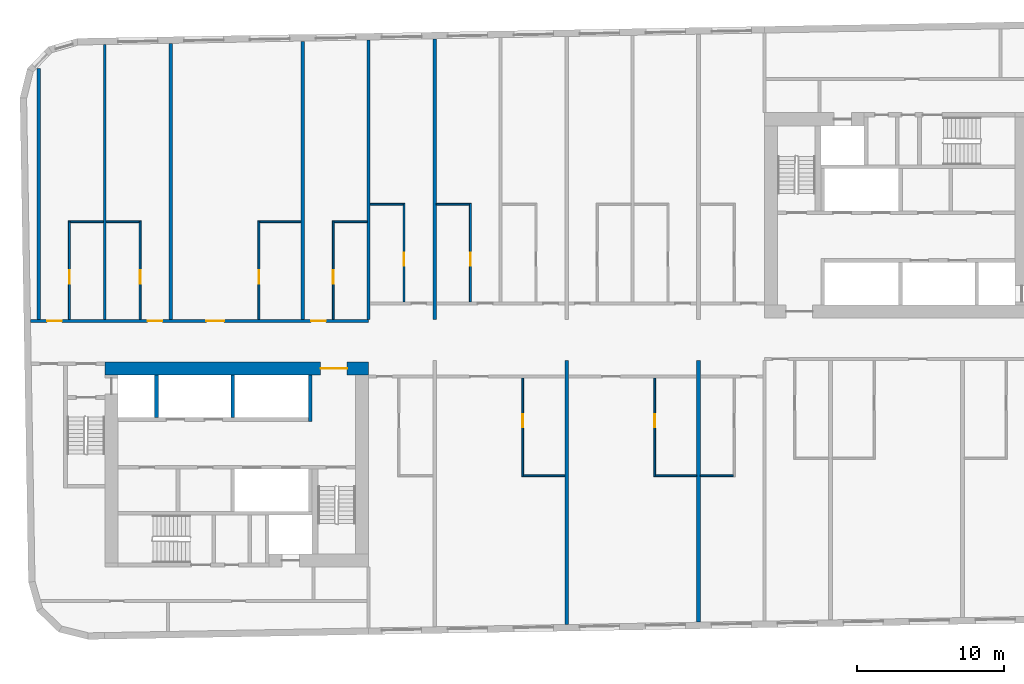
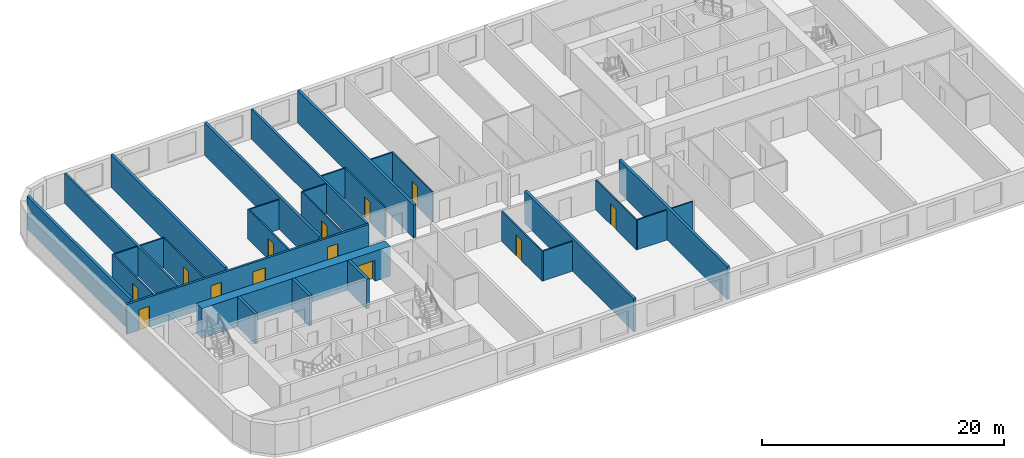
# One storey, part 3 of 11: 30 walls, 13 doors, 13 openings.
"""IFC4 building model written with IfcOpenShell, lengths in metres."""

import ifcopenshell
import ifcopenshell.guid

model = None  # the IFC model being written
_history = None  # IfcOwnerHistory: only IFC2X3 demands one
_inside = {}  # id of a spatial element -> (the spatial element, [elements in it])
_under = {}  # id of a project, library or spatial element -> (it, [spatial elements below it])
_declared = {}  # id of a project -> (the project, [libraries it declares])
_typed = {}  # id of a type object -> (the type object, [elements of that type])
_made_of = {}  # id of a material, layer set ... -> (it, [elements and type objects made of it])


def new_model(schema):
    """Start an empty IFC model of exactly this schema.

    Asked for "IFC4X3", IfcOpenShell would pick the latest addendum, in which some entities
    have other attributes; the version numbers below select the first issue.
    IFC2X3 requires an IfcOwnerHistory on every rooted entity: one is made here for all.
    """
    global model, _history
    if schema == "IFC4X3":
        model = ifcopenshell.file(schema_version=(4, 3, 0, 0))
    else:
        model = ifcopenshell.file(schema=schema)
    _inside.clear()
    _under.clear()
    _declared.clear()
    _typed.clear()
    _made_of.clear()
    _history = None
    if model.schema == "IFC2X3":
        org = make("IfcOrganization", Name="unknown")
        user = make(
            "IfcPersonAndOrganization",
            ThePerson=make("IfcPerson", FamilyName="unknown"),
            TheOrganization=org,
        )
        app = make(
            "IfcApplication",
            ApplicationDeveloper=org,
            Version="unknown",
            ApplicationFullName="unknown",
            ApplicationIdentifier="unknown",
        )
        _history = make(
            "IfcOwnerHistory",
            OwningUser=user,
            OwningApplication=app,
            ChangeAction="ADDED",
            CreationDate=0,
        )
    return model


def make(cls, **values):
    """One entity of the class cls with the attributes given. An attribute that is None is left unset."""
    return model.create_entity(
        cls, **{name: value for name, value in values.items() if value is not None}
    )


def rooted(cls, **values):
    """An entity with a GlobalId (a new one), such as an element, a storey or a relation."""
    return make(cls, GlobalId=ifcopenshell.guid.new(), OwnerHistory=_history, **values)


def si_unit(unit_type, name, prefix=None):
    """IfcSIUnit, for example si_unit("LENGTHUNIT", "METRE", prefix="MILLI")."""
    return make("IfcSIUnit", UnitType=unit_type, Prefix=prefix, Name=name)


def assignment(units):
    """IfcUnitAssignment: the units of a project."""
    return None if units is None else make("IfcUnitAssignment", Units=units)


def point(xyz):
    """IfcCartesianPoint."""
    return None if xyz is None else make("IfcCartesianPoint", Coordinates=xyz)


def direction(xyz):
    """IfcDirection."""
    return None if xyz is None else make("IfcDirection", DirectionRatios=xyz)


def frame(location, z_axis=None, x_axis=None):
    """IfcAxis2Placement3D, a coordinate frame: its origin and axes. An axis left out is left unset."""
    return make(
        "IfcAxis2Placement3D",
        Location=point(location),
        Axis=direction(z_axis),
        RefDirection=direction(x_axis),
    )


def frame_2d(location, x_axis=None):
    """IfcAxis2Placement2D, a coordinate frame in the plane: its origin and x axis."""
    return make(
        "IfcAxis2Placement2D", Location=point(location), RefDirection=direction(x_axis)
    )


def origin():
    """The frame at (0, 0, 0) with its axes left unset."""
    return frame((0.0, 0.0, 0.0))


def place(relative_to, where):
    """IfcLocalPlacement: puts the frame where relative to a parent placement (None: the world)."""
    return make(
        "IfcLocalPlacement", PlacementRelTo=relative_to, RelativePlacement=where
    )


def context(
    kind, dimensions, precision=None, world=None, true_north=None, identifier=None
):
    """IfcGeometricRepresentationContext, for example the 3D "Model" context."""
    return make(
        "IfcGeometricRepresentationContext",
        ContextIdentifier=identifier,
        ContextType=kind,
        CoordinateSpaceDimension=dimensions,
        Precision=precision,
        WorldCoordinateSystem=world,
        TrueNorth=true_north,
    )


def subcontext(parent, identifier, kind, view, scale=None):
    """IfcGeometricRepresentationSubContext, for example "Body" below "Model"."""
    return make(
        "IfcGeometricRepresentationSubContext",
        ContextIdentifier=identifier,
        ContextType=kind,
        ParentContext=parent,
        TargetScale=scale,
        TargetView=view,
    )


def project(units=None, contexts=None):
    """IfcProject with its units and contexts."""
    return rooted(
        "IfcProject",
        Name="project",
        RepresentationContexts=contexts,
        UnitsInContext=assignment(units),
    )


def spatial(cls, under=None, at=None, **own):
    """A site, building, storey or space (cls), placed at a placement, below another one or the project."""
    s = rooted(cls, ObjectPlacement=at, **own)
    if under is not None:
        _under.setdefault(under.id(), (under, []))[1].append(s)
    return s


def profile(cls, at=None, kind="AREA", **sizes):
    """A parametric profile (cls). Its sizes go by their IFC names, for example OverallWidth=200.0."""
    return make(cls, ProfileType=kind, Position=at, **sizes)


def rectangle(**sizes):
    """IfcRectangleProfileDef."""
    return profile("IfcRectangleProfileDef", **sizes)


def extrude(swept, where, along, depth):
    """IfcExtrudedAreaSolid: the profile swept, set in the frame where, extruded along a direction by depth."""
    return make(
        "IfcExtrudedAreaSolid",
        SweptArea=swept,
        Position=where,
        ExtrudedDirection=direction(along),
        Depth=depth,
    )


def shape(context_of_items, identifier, shape_type, items):
    """IfcShapeRepresentation: the items that make up one representation, for example the "Body"."""
    return make(
        "IfcShapeRepresentation",
        ContextOfItems=context_of_items,
        RepresentationIdentifier=identifier,
        RepresentationType=shape_type,
        Items=items,
    )


def material(Name=None, Category=None):
    """IfcMaterial."""
    return make("IfcMaterial", Name=Name, Category=Category)


def layer(
    of_material, thickness, ventilated=None, Name=None, Category=None, Priority=None
):
    """IfcMaterialLayer: one layer of a wall or slab, of a material (None: an air gap)."""
    return make(
        "IfcMaterialLayer",
        Material=of_material,
        LayerThickness=thickness,
        IsVentilated=ventilated,
        Name=Name,
        Category=Category,
        Priority=Priority,
    )


def layer_set(layers, Name=None):
    """IfcMaterialLayerSet."""
    return make("IfcMaterialLayerSet", MaterialLayers=layers, LayerSetName=Name)


def made_of(thing, what):
    """Note that an element or type object is made of a material, layer set ...; save() writes the relation."""
    if what is not None:
        _made_of.setdefault(what.id(), (what, []))[1].append(thing)
    return thing


def type_object(cls, material=None, **own):
    """A type object (cls), such as IfcWallType, which elements share."""
    return made_of(rooted(cls, **own), material)


def element(
    cls,
    number,
    at=None,
    inside=None,
    cuts=None,
    type_object=None,
    material=None,
    context=None,
    identifier="Body",
    shape_type=None,
    held_by="IfcProductDefinitionShape",
    body=None,
    shapes=None,
    **own,
):
    """One element of the class cls, such as IfcWall. Its Tag is "e" and its number.

    at: its placement. inside: the storey or other place that contains it. cuts: it is an
    opening in that element (IfcRelVoidsElement). A single representation is given by context,
    identifier, shape_type and body (its items); several are given by shapes. held_by: the class
    of the entity that holds the representations. save() writes the other relations.
    """
    e = rooted(cls, Tag="e%d" % number, ObjectPlacement=at, **own)
    if body is not None:
        shapes = [shape(context, identifier, shape_type, body)]
    if shapes is not None:
        e.Representation = make(held_by, Representations=shapes)
    if inside is not None:
        _inside.setdefault(inside.id(), (inside, []))[1].append(e)
    if cuts is not None:
        rooted(
            "IfcRelVoidsElement", RelatingBuildingElement=cuts, RelatedOpeningElement=e
        )
    if type_object is not None:
        _typed.setdefault(type_object.id(), (type_object, []))[1].append(e)
    return made_of(e, material)


def fill(opening, filler):
    """IfcRelFillsElement: the door or window that sits in an opening."""
    return rooted(
        "IfcRelFillsElement",
        RelatingOpeningElement=opening,
        RelatedBuildingElement=filler,
    )


def aggregate(whole, parts):
    """IfcRelAggregates: a whole, such as a stair, and the parts it consists of."""
    return rooted("IfcRelAggregates", RelatingObject=whole, RelatedObjects=parts)


def save(model, path):
    """Write the relations noted so far, then the file.

    IfcRelAggregates (storeys below a building ...), IfcRelContainedInSpatialStructure (elements
    in a storey), IfcRelDefinesByType, IfcRelAssociatesMaterial and IfcRelDeclares: one each for
    every whole, place, type object, material and project.
    """
    for whole, parts in _under.values():
        aggregate(whole, parts)
    for where, things in _inside.values():
        rooted(
            "IfcRelContainedInSpatialStructure",
            RelatedElements=things,
            RelatingStructure=where,
        )
    for kind, things in _typed.values():
        rooted("IfcRelDefinesByType", RelatedObjects=things, RelatingType=kind)
    for what, things in _made_of.values():
        rooted("IfcRelAssociatesMaterial", RelatedObjects=things, RelatingMaterial=what)
    for by, libraries in _declared.values():
        rooted("IfcRelDeclares", RelatingContext=by, RelatedDefinitions=libraries)
    model.write(path)


model = new_model("IFC4")

# Units and contexts
model_context = context("Model", 3, precision=1e-05, world=origin(), true_north=direction((0.0, 1.0)))
body_context = subcontext(model_context, "Body", "Model", "MODEL_VIEW")
ifc_project = project(units=[si_unit("LENGTHUNIT", "METRE"), si_unit("AREAUNIT", "SQUARE_METRE"), si_unit("VOLUMEUNIT", "CUBIC_METRE"), si_unit("PLANEANGLEUNIT", "RADIAN"), si_unit("MASSUNIT", "GRAM", prefix="KILO")], contexts=[model_context])

# Site, building, storey
site_placement = place(None, origin())
site = spatial("IfcSite", under=ifc_project, at=site_placement, CompositionType="ELEMENT")
building_placement = place(site_placement, origin())
building = spatial("IfcBuilding", under=site, at=building_placement, Name="Kajstack Hotel Tower", CompositionType="ELEMENT")
storey_placement = place(building_placement, frame((0.0, 0.0, 224.300048828125)))
storey = spatial("IfcBuildingStorey", under=building, at=storey_placement, Name="L54", CompositionType="ELEMENT", Elevation=224.300048828125)

# Wall, opening, door
ifc_material_1 = material(Name="Concrete C60/75", Category="concrete")
ifc_layer_1 = layer(ifc_material_1, 0.89990234375)
ifc_layer_set_1 = layer_set([ifc_layer_1], Name="Core wall 900")
wall_type_1 = type_object("IfcWallType", Name="Core wall 900", PredefinedType="SHEAR", material=ifc_layer_set_1)
wall_1_placement = place(storey_placement, frame((-31.5, -1.949951171875, 0.0), z_axis=(0.0, 0.0, 1.0), x_axis=(1.0, 0.0, 0.0)))
wall_1 = element("IfcWall", 1, at=wall_1_placement, inside=storey, type_object=wall_type_1, Name="Core wall W RN", PredefinedType="SHEAR", context=body_context, shape_type="SweptSolid", body=[
    extrude(rectangle(XDim=18.0, YDim=0.89990234375, at=frame_2d((9.0, 0.0))), origin(), (0.0, 0.0, 1.0), 3.02001953125),
])
opening_1_placement = place(wall_1_placement, frame((14.72509765625, 0.0, 0.0)))
opening_1 = element("IfcOpeningElement", 2, at=opening_1_placement, cuts=wall_1, Name="Opening 54W07", PredefinedType="OPENING", context=body_context, shape_type="SweptSolid", body=[
    extrude(rectangle(XDim=1.800048828125, YDim=2.10009765625, at=frame_2d((0.89990234375, 1.050048828125))), frame((0.0, 0.4599609375, 0.0), z_axis=(0.0, -1.0, 0.0), x_axis=(1.0, 0.0, 0.0)), (0.0, 0.0, 1.0), 0.919921875),
])
ifc_material_2 = material(Name="Glazed steel frame, fire-rated glass", Category="steel")
door_type_1 = type_object("IfcDoorType", Name="Lobby double door 1800", OperationType="DOUBLE_DOOR_DOUBLE_SWING", PredefinedType="DOOR", material=ifc_material_2)
door_1_placement = place(opening_1_placement, origin())
door_1 = element("IfcDoor", 3, at=door_1_placement, inside=storey, type_object=door_type_1, Name="Door 54W07", OperationType="DOUBLE_DOOR_DOUBLE_SWING", OverallHeight=2.10009765625, OverallWidth=1.800048828125, PredefinedType="DOOR", context=body_context, shape_type="SweptSolid", body=[
    extrude(rectangle(XDim=1.800048828125, YDim=2.10009765625, at=frame_2d((0.89990234375, 1.050048828125))), frame((0.0, 0.02490234375, 0.0), z_axis=(0.0, -1.0, 0.0), x_axis=(1.0, 0.0, 0.0)), (0.0, 0.0, 1.0), 0.050048828125),
])
fill(opening_1, door_1)

# Wall, openings, doors
ifc_material_3 = material(Name="Gypsum board on steel studs, mineral wool", Category="steel")
ifc_layer_2 = layer(ifc_material_3, 0.199951171875)
ifc_layer_set_2 = layer_set([ifc_layer_2], Name="Corridor wall 200")
wall_type_2 = type_object("IfcWallType", Name="Corridor wall 200", PredefinedType="PARTITIONING", material=ifc_layer_set_2)
wall_2_placement = place(storey_placement, frame((-36.56591796875, 1.300048828125, 0.0), z_axis=(0.0, 0.0, 1.0), x_axis=(1.0, 0.0, 0.0)))
wall_2 = element("IfcWall", 4, at=wall_2_placement, inside=storey, type_object=wall_type_2, Name="G-wall-L54-003", PredefinedType="PARTITIONING", context=body_context, shape_type="SweptSolid", body=[
    extrude(rectangle(XDim=23.06591796875, YDim=0.199951171875, at=frame_2d((11.532958984375, 0.0))), origin(), (0.0, 0.0, 1.0), 3.02001953125),
])
opening_2_placement = place(wall_2_placement, frame((1.14111328125, 0.0, 0.0)))
opening_2 = element("IfcOpeningElement", 5, at=opening_2_placement, cuts=wall_2, Name="Opening 54001", PredefinedType="OPENING", context=body_context, shape_type="SweptSolid", body=[
    extrude(rectangle(XDim=1.0, YDim=2.10009765625, at=frame_2d((0.5, 1.050048828125))), frame((0.0, 0.10986328125, 0.0), z_axis=(0.0, -1.0, 0.0), x_axis=(1.0, 0.0, 0.0)), (0.0, 0.0, 1.0), 0.219970703125),
])
opening_3_placement = place(wall_2_placement, frame((7.990966796875, 0.0, 0.0)))
opening_3 = element("IfcOpeningElement", 6, at=opening_3_placement, cuts=wall_2, Name="Opening 54003", PredefinedType="OPENING", context=body_context, shape_type="SweptSolid", body=[
    extrude(rectangle(XDim=1.0, YDim=2.10009765625, at=frame_2d((0.5, 1.050048828125))), frame((0.0, 0.10986328125, 0.0), z_axis=(0.0, -1.0, 0.0), x_axis=(1.0, 0.0, 0.0)), (0.0, 0.0, 1.0), 0.219970703125),
])
opening_4_placement = place(wall_2_placement, frame((12.00390625, 0.0, 0.0)))
opening_4 = element("IfcOpeningElement", 7, at=opening_4_placement, cuts=wall_2, Name="Opening 54005", PredefinedType="OPENING", context=body_context, shape_type="SweptSolid", body=[
    extrude(rectangle(XDim=1.199951171875, YDim=2.10009765625, at=frame_2d((0.60009765625, 1.050048828125))), frame((0.0, 0.10986328125, 0.0), z_axis=(0.0, -1.0, 0.0), x_axis=(1.0, 0.0, 0.0)), (0.0, 0.0, 1.0), 0.219970703125),
])
opening_5_placement = place(wall_2_placement, frame((19.14111328125, 0.0, 0.0)))
opening_5 = element("IfcOpeningElement", 8, at=opening_5_placement, cuts=wall_2, Name="Opening 54007", PredefinedType="OPENING", context=body_context, shape_type="SweptSolid", body=[
    extrude(rectangle(XDim=1.0, YDim=2.10009765625, at=frame_2d((0.5, 1.050048828125))), frame((0.0, 0.10986328125, 0.0), z_axis=(0.0, -1.0, 0.0), x_axis=(1.0, 0.0, 0.0)), (0.0, 0.0, 1.0), 0.219970703125),
])
ifc_material_4 = material(Name="Oak veneer on timber core, fire-rated leaf", Category="wood")
door_type_2 = type_object("IfcDoorType", Name="Flat entrance door 1000", OperationType="SINGLE_SWING_LEFT", PredefinedType="DOOR", material=ifc_material_4)
door_2_placement = place(opening_2_placement, origin())
door_2 = element("IfcDoor", 9, at=door_2_placement, inside=storey, type_object=door_type_2, Name="G-door-L54-01", OperationType="SINGLE_SWING_LEFT", OverallHeight=2.10009765625, OverallWidth=1.0, PredefinedType="DOOR", context=body_context, shape_type="SweptSolid", body=[
    extrude(rectangle(XDim=1.0, YDim=2.10009765625, at=frame_2d((0.5, 1.050048828125))), frame((0.0, 0.02490234375, 0.0), z_axis=(0.0, -1.0, 0.0), x_axis=(1.0, 0.0, 0.0)), (0.0, 0.0, 1.0), 0.050048828125),
])
fill(opening_2, door_2)
door_3_placement = place(opening_3_placement, origin())
door_3 = element("IfcDoor", 10, at=door_3_placement, inside=storey, type_object=door_type_2, Name="G-door-L54-03", OperationType="SINGLE_SWING_LEFT", OverallHeight=2.10009765625, OverallWidth=1.0, PredefinedType="DOOR", context=body_context, shape_type="SweptSolid", body=[
    extrude(rectangle(XDim=1.0, YDim=2.10009765625, at=frame_2d((0.5, 1.050048828125))), frame((0.0, 0.02490234375, 0.0), z_axis=(0.0, -1.0, 0.0), x_axis=(1.0, 0.0, 0.0)), (0.0, 0.0, 1.0), 0.050048828125),
])
fill(opening_3, door_3)
door_4_placement = place(opening_5_placement, origin())
door_4 = element("IfcDoor", 11, at=door_4_placement, inside=storey, type_object=door_type_2, Name="G-door-L54-07", OperationType="SINGLE_SWING_LEFT", OverallHeight=2.10009765625, OverallWidth=1.0, PredefinedType="DOOR", context=body_context, shape_type="SweptSolid", body=[
    extrude(rectangle(XDim=1.0, YDim=2.10009765625, at=frame_2d((0.5, 1.050048828125))), frame((0.0, 0.02490234375, 0.0), z_axis=(0.0, -1.0, 0.0), x_axis=(1.0, 0.0, 0.0)), (0.0, 0.0, 1.0), 0.050048828125),
])
fill(opening_5, door_4)
door_type_3 = type_object("IfcDoorType", Name="Flat entrance door 1200", OperationType="SINGLE_SWING_LEFT", PredefinedType="DOOR", material=ifc_material_4)
door_5_placement = place(opening_4_placement, origin())
door_5 = element("IfcDoor", 12, at=door_5_placement, inside=storey, type_object=door_type_3, Name="G-door-L54-05", OperationType="SINGLE_SWING_RIGHT", OverallHeight=2.10009765625, OverallWidth=1.199951171875, PredefinedType="DOOR", context=body_context, shape_type="SweptSolid", body=[
    extrude(rectangle(XDim=1.199951171875, YDim=2.10009765625, at=frame_2d((0.60009765625, 1.050048828125))), frame((0.0, 0.02490234375, 0.0), z_axis=(0.0, -1.0, 0.0), x_axis=(1.0, 0.0, 0.0)), (0.0, 0.0, 1.0), 0.050048828125),
])
fill(opening_4, door_5)

# Walls
ifc_material_5 = material(Name="Twin-frame gypsum board on steel studs, mineral wool", Category="steel")
ifc_layer_3 = layer(ifc_material_5, 0.199951171875)
ifc_layer_set_3 = layer_set([ifc_layer_3], Name="Demising wall 200")
wall_type_3 = type_object("IfcWallType", Name="Demising wall 200", PredefinedType="PARTITIONING", material=ifc_layer_set_3)
wall_3_placement = place(storey_placement, frame((-31.5, 1.39990234375, 0.0), z_axis=(0.0, 0.0, 1.0), x_axis=(0.0, 1.0, 0.0)))
element("IfcWall", 13, at=wall_3_placement, inside=storey, type_object=wall_type_3, Name="G-wall-L54-005", PredefinedType="PARTITIONING", context=body_context, shape_type="SweptSolid", body=[
    extrude(rectangle(XDim=18.7509765625, YDim=0.199951171875, at=frame_2d((9.37548828125, 0.0))), origin(), (0.0, 0.0, 1.0), 3.02001953125),
])
wall_4_placement = place(storey_placement, frame((-13.5, 1.39990234375, 0.0), z_axis=(0.0, 0.0, 1.0), x_axis=(0.0, 1.0, 0.0)))
element("IfcWall", 14, at=wall_4_placement, inside=storey, type_object=wall_type_3, Name="G-wall-L54-012", PredefinedType="PARTITIONING", context=body_context, shape_type="SweptSolid", body=[
    extrude(rectangle(XDim=19.065185546875, YDim=0.199951171875, at=frame_2d((9.53271484375, 0.0))), origin(), (0.0, 0.0, 1.0), 3.02001953125),
])

# Wall, opening, door
ifc_material_6 = material(Name="Gypsum board and tiled backer on steel studs", Category="steel")
ifc_layer_4 = layer(ifc_material_6, 0.125)
ifc_layer_set_4 = layer_set([ifc_layer_4], Name="En-suite wall 125")
wall_type_4 = type_object("IfcWallType", Name="En-suite wall 125", PredefinedType="PARTITIONING", material=ifc_layer_set_4)
wall_5_placement = place(storey_placement, frame((-33.9130859375, 1.39990234375, 0.0), z_axis=(0.0, 0.0, 1.0), x_axis=(0.0, 1.0, 0.0)))
wall_5 = element("IfcWall", 15, at=wall_5_placement, inside=storey, type_object=wall_type_4, Name="G-wall-L54-006", PredefinedType="PARTITIONING", context=body_context, shape_type="SweptSolid", body=[
    extrude(rectangle(XDim=6.72509765625, YDim=0.125, at=frame_2d((3.362548828125, 0.0))), origin(), (0.0, 0.0, 1.0), 3.02001953125),
])
opening_6_placement = place(wall_5_placement, frame((2.449951171875, 0.0, 0.0)))
opening_6 = element("IfcOpeningElement", 16, at=opening_6_placement, cuts=wall_5, Name="Opening 54002", PredefinedType="OPENING", context=body_context, shape_type="SweptSolid", body=[
    extrude(rectangle(XDim=0.89990234375, YDim=2.10009765625, at=frame_2d((0.449951171875, 1.050048828125))), frame((0.0, 0.072509765625, 0.0), z_axis=(0.0, -1.0, 0.0), x_axis=(1.0, 0.0, 0.0)), (0.0, 0.0, 1.0), 0.14501953125),
])
ifc_material_7 = material(Name="Painted timber door leaf", Category="wood")
door_type_4 = type_object("IfcDoorType", Name="Room door 900", OperationType="SINGLE_SWING_LEFT", PredefinedType="DOOR", material=ifc_material_7)
door_6_placement = place(opening_6_placement, origin())
door_6 = element("IfcDoor", 17, at=door_6_placement, inside=storey, type_object=door_type_4, Name="G-door-L54-02", OperationType="SINGLE_SWING_LEFT", OverallHeight=2.10009765625, OverallWidth=0.89990234375, PredefinedType="DOOR", context=body_context, shape_type="SweptSolid", body=[
    extrude(rectangle(XDim=0.89990234375, YDim=2.10009765625, at=frame_2d((0.449951171875, 1.050048828125))), frame((0.0, 0.02490234375, 0.0), z_axis=(0.0, -1.0, 0.0), x_axis=(1.0, 0.0, 0.0)), (0.0, 0.0, 1.0), 0.050048828125),
])
fill(opening_6, door_6)

# Wall
wall_6_placement = place(storey_placement, frame((-33.85009765625, 8.06201171875, 0.0), z_axis=(0.0, 0.0, 1.0), x_axis=(1.0, 0.0, 0.0)))
element("IfcWall", 18, at=wall_6_placement, inside=storey, type_object=wall_type_4, Name="G-wall-L54-007", PredefinedType="PARTITIONING", context=body_context, shape_type="SweptSolid", body=[
    extrude(rectangle(XDim=2.25, YDim=0.125, at=frame_2d((1.125, 0.0))), origin(), (0.0, 0.0, 1.0), 3.02001953125),
])

# Wall, opening, door
wall_7_placement = place(storey_placement, frame((-29.0869140625, 1.39990234375, 0.0), z_axis=(0.0, 0.0, 1.0), x_axis=(0.0, 1.0, 0.0)))
wall_7 = element("IfcWall", 19, at=wall_7_placement, inside=storey, type_object=wall_type_4, Name="G-wall-L54-008", PredefinedType="PARTITIONING", context=body_context, shape_type="SweptSolid", body=[
    extrude(rectangle(XDim=6.72509765625, YDim=0.125, at=frame_2d((3.362548828125, 0.0))), origin(), (0.0, 0.0, 1.0), 3.02001953125),
])
opening_7_placement = place(wall_7_placement, frame((2.449951171875, 0.0, 0.0)))
opening_7 = element("IfcOpeningElement", 20, at=opening_7_placement, cuts=wall_7, Name="Opening 54004", PredefinedType="OPENING", context=body_context, shape_type="SweptSolid", body=[
    extrude(rectangle(XDim=0.89990234375, YDim=2.10009765625, at=frame_2d((0.449951171875, 1.050048828125))), frame((0.0, 0.072509765625, 0.0), z_axis=(0.0, -1.0, 0.0), x_axis=(1.0, 0.0, 0.0)), (0.0, 0.0, 1.0), 0.14501953125),
])
door_7_placement = place(opening_7_placement, origin())
door_7 = element("IfcDoor", 21, at=door_7_placement, inside=storey, type_object=door_type_4, Name="G-door-L54-04", OperationType="SINGLE_SWING_LEFT", OverallHeight=2.10009765625, OverallWidth=0.89990234375, PredefinedType="DOOR", context=body_context, shape_type="SweptSolid", body=[
    extrude(rectangle(XDim=0.89990234375, YDim=2.10009765625, at=frame_2d((0.449951171875, 1.050048828125))), frame((0.0, 0.02490234375, 0.0), z_axis=(0.0, -1.0, 0.0), x_axis=(1.0, 0.0, 0.0)), (0.0, 0.0, 1.0), 0.050048828125),
])
fill(opening_7, door_7)

# Wall
wall_8_placement = place(storey_placement, frame((-31.39990234375, 8.06201171875, 0.0), z_axis=(0.0, 0.0, 1.0), x_axis=(1.0, 0.0, 0.0)))
element("IfcWall", 22, at=wall_8_placement, inside=storey, type_object=wall_type_4, Name="G-wall-L54-009", PredefinedType="PARTITIONING", context=body_context, shape_type="SweptSolid", body=[
    extrude(rectangle(XDim=2.25, YDim=0.125, at=frame_2d((1.125, 0.0))), origin(), (0.0, 0.0, 1.0), 3.02001953125),
])

# Wall, opening, door
wall_9_placement = place(storey_placement, frame((-20.988037109375, 1.39990234375, 0.0), z_axis=(0.0, 0.0, 1.0), x_axis=(0.0, 1.0, 0.0)))
wall_9 = element("IfcWall", 23, at=wall_9_placement, inside=storey, type_object=wall_type_4, Name="G-wall-L54-010", PredefinedType="PARTITIONING", context=body_context, shape_type="SweptSolid", body=[
    extrude(rectangle(XDim=6.72509765625, YDim=0.125, at=frame_2d((3.362548828125, 0.0))), origin(), (0.0, 0.0, 1.0), 3.02001953125),
])
opening_8_placement = place(wall_9_placement, frame((2.449951171875, 0.0, 0.0)))
opening_8 = element("IfcOpeningElement", 24, at=opening_8_placement, cuts=wall_9, Name="Opening 54006", PredefinedType="OPENING", context=body_context, shape_type="SweptSolid", body=[
    extrude(rectangle(XDim=0.89990234375, YDim=2.10009765625, at=frame_2d((0.449951171875, 1.050048828125))), frame((0.0, 0.072509765625, 0.0), z_axis=(0.0, -1.0, 0.0), x_axis=(1.0, 0.0, 0.0)), (0.0, 0.0, 1.0), 0.14501953125),
])
door_8_placement = place(opening_8_placement, origin())
door_8 = element("IfcDoor", 25, at=door_8_placement, inside=storey, type_object=door_type_4, Name="G-door-L54-06", OperationType="SINGLE_SWING_LEFT", OverallHeight=2.10009765625, OverallWidth=0.89990234375, PredefinedType="DOOR", context=body_context, shape_type="SweptSolid", body=[
    extrude(rectangle(XDim=0.89990234375, YDim=2.10009765625, at=frame_2d((0.449951171875, 1.050048828125))), frame((0.0, 0.02490234375, 0.0), z_axis=(0.0, -1.0, 0.0), x_axis=(1.0, 0.0, 0.0)), (0.0, 0.0, 1.0), 0.050048828125),
])
fill(opening_8, door_8)

# Wall
wall_10_placement = place(storey_placement, frame((-20.925048828125, 8.06201171875, 0.0), z_axis=(0.0, 0.0, 1.0), x_axis=(1.0, 0.0, 0.0)))
element("IfcWall", 26, at=wall_10_placement, inside=storey, type_object=wall_type_4, Name="G-wall-L54-011", PredefinedType="PARTITIONING", context=body_context, shape_type="SweptSolid", body=[
    extrude(rectangle(XDim=2.800048828125, YDim=0.125, at=frame_2d((1.39990234375, 0.0))), origin(), (0.0, 0.0, 1.0), 3.02001953125),
])

# Wall, opening, door
wall_11_placement = place(storey_placement, frame((-15.912109375, 1.39990234375, 0.0), z_axis=(0.0, 0.0, 1.0), x_axis=(0.0, 1.0, 0.0)))
wall_11 = element("IfcWall", 27, at=wall_11_placement, inside=storey, type_object=wall_type_4, Name="G-wall-L54-013", PredefinedType="PARTITIONING", context=body_context, shape_type="SweptSolid", body=[
    extrude(rectangle(XDim=6.72509765625, YDim=0.125, at=frame_2d((3.362548828125, 0.0))), origin(), (0.0, 0.0, 1.0), 3.02001953125),
])
opening_9_placement = place(wall_11_placement, frame((2.449951171875, 0.0, 0.0)))
opening_9 = element("IfcOpeningElement", 28, at=opening_9_placement, cuts=wall_11, Name="Opening 54008", PredefinedType="OPENING", context=body_context, shape_type="SweptSolid", body=[
    extrude(rectangle(XDim=0.89990234375, YDim=2.10009765625, at=frame_2d((0.449951171875, 1.050048828125))), frame((0.0, 0.072509765625, 0.0), z_axis=(0.0, -1.0, 0.0), x_axis=(1.0, 0.0, 0.0)), (0.0, 0.0, 1.0), 0.14501953125),
])
door_9_placement = place(opening_9_placement, origin())
door_9 = element("IfcDoor", 29, at=door_9_placement, inside=storey, type_object=door_type_4, Name="G-door-L54-08", OperationType="SINGLE_SWING_RIGHT", OverallHeight=2.10009765625, OverallWidth=0.89990234375, PredefinedType="DOOR", context=body_context, shape_type="SweptSolid", body=[
    extrude(rectangle(XDim=0.89990234375, YDim=2.10009765625, at=frame_2d((0.449951171875, 1.050048828125))), frame((0.0, 0.02490234375, 0.0), z_axis=(0.0, -1.0, 0.0), x_axis=(1.0, 0.0, 0.0)), (0.0, 0.0, 1.0), 0.050048828125),
])
fill(opening_9, door_9)

# Wall
wall_12_placement = place(storey_placement, frame((-15.85009765625, 8.06201171875, 0.0), z_axis=(0.0, 0.0, 1.0), x_axis=(1.0, 0.0, 0.0)))
element("IfcWall", 30, at=wall_12_placement, inside=storey, type_object=wall_type_4, Name="G-wall-L54-014", PredefinedType="PARTITIONING", context=body_context, shape_type="SweptSolid", body=[
    extrude(rectangle(XDim=2.25, YDim=0.125, at=frame_2d((1.125, 0.0))), origin(), (0.0, 0.0, 1.0), 3.02001953125),
])

# Wall, opening, door
wall_13_placement = place(storey_placement, frame((-11.087890625, 2.60009765625, 0.0), z_axis=(0.0, 0.0, 1.0), x_axis=(0.0, 1.0, 0.0)))
wall_13 = element("IfcWall", 31, at=wall_13_placement, inside=storey, type_object=wall_type_4, Name="G-wall-L54-015", PredefinedType="PARTITIONING", context=body_context, shape_type="SweptSolid", body=[
    extrude(rectangle(XDim=6.724853515625, YDim=0.125, at=frame_2d((3.3623046875, 0.0))), origin(), (0.0, 0.0, 1.0), 3.02001953125),
])
opening_10_placement = place(wall_13_placement, frame((2.449951171875, 0.0, 0.0)))
opening_10 = element("IfcOpeningElement", 32, at=opening_10_placement, cuts=wall_13, Name="Opening 54010", PredefinedType="OPENING", context=body_context, shape_type="SweptSolid", body=[
    extrude(rectangle(XDim=0.89990234375, YDim=2.10009765625, at=frame_2d((0.449951171875, 1.050048828125))), frame((0.0, 0.072509765625, 0.0), z_axis=(0.0, -1.0, 0.0), x_axis=(1.0, 0.0, 0.0)), (0.0, 0.0, 1.0), 0.14501953125),
])
door_10_placement = place(opening_10_placement, origin())
door_10 = element("IfcDoor", 33, at=door_10_placement, inside=storey, type_object=door_type_4, Name="G-door-L54-10", OperationType="SINGLE_SWING_LEFT", OverallHeight=2.10009765625, OverallWidth=0.89990234375, PredefinedType="DOOR", context=body_context, shape_type="SweptSolid", body=[
    extrude(rectangle(XDim=0.89990234375, YDim=2.10009765625, at=frame_2d((0.449951171875, 1.050048828125))), frame((0.0, 0.02490234375, 0.0), z_axis=(0.0, -1.0, 0.0), x_axis=(1.0, 0.0, 0.0)), (0.0, 0.0, 1.0), 0.050048828125),
])
fill(opening_10, door_10)

# Wall
wall_14_placement = place(storey_placement, frame((-13.39990234375, 9.261962890625, 0.0), z_axis=(0.0, 0.0, 1.0), x_axis=(1.0, 0.0, 0.0)))
element("IfcWall", 34, at=wall_14_placement, inside=storey, type_object=wall_type_4, Name="G-wall-L54-016", PredefinedType="PARTITIONING", context=body_context, shape_type="SweptSolid", body=[
    extrude(rectangle(XDim=2.25, YDim=0.125, at=frame_2d((1.125, 0.0))), origin(), (0.0, 0.0, 1.0), 3.02001953125),
])

# Wall, opening, door
wall_15_placement = place(storey_placement, frame((-6.56201171875, 2.60009765625, 0.0), z_axis=(0.0, 0.0, 1.0), x_axis=(0.0, 1.0, 0.0)))
wall_15 = element("IfcWall", 35, at=wall_15_placement, inside=storey, type_object=wall_type_4, Name="G-wall-L54-018", PredefinedType="PARTITIONING", context=body_context, shape_type="SweptSolid", body=[
    extrude(rectangle(XDim=6.724853515625, YDim=0.125, at=frame_2d((3.3623046875, 0.0))), origin(), (0.0, 0.0, 1.0), 3.02001953125),
])
opening_11_placement = place(wall_15_placement, frame((2.449951171875, 0.0, 0.0)))
opening_11 = element("IfcOpeningElement", 36, at=opening_11_placement, cuts=wall_15, Name="Opening 54012", PredefinedType="OPENING", context=body_context, shape_type="SweptSolid", body=[
    extrude(rectangle(XDim=0.89990234375, YDim=2.10009765625, at=frame_2d((0.449951171875, 1.050048828125))), frame((0.0, 0.072509765625, 0.0), z_axis=(0.0, -1.0, 0.0), x_axis=(1.0, 0.0, 0.0)), (0.0, 0.0, 1.0), 0.14501953125),
])
door_11_placement = place(opening_11_placement, origin())
door_11 = element("IfcDoor", 37, at=door_11_placement, inside=storey, type_object=door_type_4, Name="G-door-L54-12", OperationType="SINGLE_SWING_RIGHT", OverallHeight=2.10009765625, OverallWidth=0.89990234375, PredefinedType="DOOR", context=body_context, shape_type="SweptSolid", body=[
    extrude(rectangle(XDim=0.89990234375, YDim=2.10009765625, at=frame_2d((0.449951171875, 1.050048828125))), frame((0.0, 0.02490234375, 0.0), z_axis=(0.0, -1.0, 0.0), x_axis=(1.0, 0.0, 0.0)), (0.0, 0.0, 1.0), 0.050048828125),
])
fill(opening_11, door_11)

# Wall
wall_16_placement = place(storey_placement, frame((-8.875, 9.261962890625, 0.0), z_axis=(0.0, 0.0, 1.0), x_axis=(1.0, 0.0, 0.0)))
element("IfcWall", 38, at=wall_16_placement, inside=storey, type_object=wall_type_4, Name="G-wall-L54-019", PredefinedType="PARTITIONING", context=body_context, shape_type="SweptSolid", body=[
    extrude(rectangle(XDim=2.25, YDim=0.125, at=frame_2d((1.125, 0.0))), origin(), (0.0, 0.0, 1.0), 3.02001953125),
])

# Wall, opening, door
wall_17_placement = place(storey_placement, frame((-2.987060546875, -9.324951171875, 0.0), z_axis=(0.0, 0.0, 1.0), x_axis=(0.0, 1.0, 0.0)))
wall_17 = element("IfcWall", 39, at=wall_17_placement, inside=storey, type_object=wall_type_4, Name="G-wall-L54-033", PredefinedType="PARTITIONING", context=body_context, shape_type="SweptSolid", body=[
    extrude(rectangle(XDim=6.724853515625, YDim=0.125, at=frame_2d((3.3623046875, 0.0))), origin(), (0.0, 0.0, 1.0), 3.02001953125),
])
opening_12_placement = place(wall_17_placement, frame((3.375, 0.0, 0.0)))
opening_12 = element("IfcOpeningElement", 40, at=opening_12_placement, cuts=wall_17, Name="Opening 54024", PredefinedType="OPENING", context=body_context, shape_type="SweptSolid", body=[
    extrude(rectangle(XDim=0.89990234375, YDim=2.10009765625, at=frame_2d((0.449951171875, 1.050048828125))), frame((0.0, 0.072509765625, 0.0), z_axis=(0.0, -1.0, 0.0), x_axis=(1.0, 0.0, 0.0)), (0.0, 0.0, 1.0), 0.14501953125),
])
door_12_placement = place(opening_12_placement, origin())
door_12 = element("IfcDoor", 41, at=door_12_placement, inside=storey, type_object=door_type_4, Name="G-door-L54-24", OperationType="SINGLE_SWING_LEFT", OverallHeight=2.10009765625, OverallWidth=0.89990234375, PredefinedType="DOOR", context=body_context, shape_type="SweptSolid", body=[
    extrude(rectangle(XDim=0.89990234375, YDim=2.10009765625, at=frame_2d((0.449951171875, 1.050048828125))), frame((0.0, 0.02490234375, 0.0), z_axis=(0.0, -1.0, 0.0), x_axis=(1.0, 0.0, 0.0)), (0.0, 0.0, 1.0), 0.050048828125),
])
fill(opening_12, door_12)

# Wall
wall_18_placement = place(storey_placement, frame((-2.925048828125, -9.261962890625, 0.0), z_axis=(0.0, 0.0, 1.0), x_axis=(1.0, 0.0, 0.0)))
element("IfcWall", 42, at=wall_18_placement, inside=storey, type_object=wall_type_4, Name="G-wall-L54-034", PredefinedType="PARTITIONING", context=body_context, shape_type="SweptSolid", body=[
    extrude(rectangle(XDim=2.800048828125, YDim=0.125, at=frame_2d((1.39990234375, 0.0))), origin(), (0.0, 0.0, 1.0), 3.02001953125),
])

# Wall, opening, door
wall_19_placement = place(storey_placement, frame((6.012939453125, -9.324951171875, 0.0), z_axis=(0.0, 0.0, 1.0), x_axis=(0.0, 1.0, 0.0)))
wall_19 = element("IfcWall", 43, at=wall_19_placement, inside=storey, type_object=wall_type_4, Name="G-wall-L54-035", PredefinedType="PARTITIONING", context=body_context, shape_type="SweptSolid", body=[
    extrude(rectangle(XDim=6.724853515625, YDim=0.125, at=frame_2d((3.3623046875, 0.0))), origin(), (0.0, 0.0, 1.0), 3.02001953125),
])
opening_13_placement = place(wall_19_placement, frame((3.375, 0.0, 0.0)))
opening_13 = element("IfcOpeningElement", 44, at=opening_13_placement, cuts=wall_19, Name="Opening 54026", PredefinedType="OPENING", context=body_context, shape_type="SweptSolid", body=[
    extrude(rectangle(XDim=0.89990234375, YDim=2.10009765625, at=frame_2d((0.449951171875, 1.050048828125))), frame((0.0, 0.072509765625, 0.0), z_axis=(0.0, -1.0, 0.0), x_axis=(1.0, 0.0, 0.0)), (0.0, 0.0, 1.0), 0.14501953125),
])
door_13_placement = place(opening_13_placement, origin())
door_13 = element("IfcDoor", 45, at=door_13_placement, inside=storey, type_object=door_type_4, Name="G-door-L54-26", OperationType="SINGLE_SWING_LEFT", OverallHeight=2.10009765625, OverallWidth=0.89990234375, PredefinedType="DOOR", context=body_context, shape_type="SweptSolid", body=[
    extrude(rectangle(XDim=0.89990234375, YDim=2.10009765625, at=frame_2d((0.449951171875, 1.050048828125))), frame((0.0, 0.02490234375, 0.0), z_axis=(0.0, -1.0, 0.0), x_axis=(1.0, 0.0, 0.0)), (0.0, 0.0, 1.0), 0.050048828125),
])
fill(opening_13, door_13)

# Walls
wall_20_placement = place(storey_placement, frame((6.074951171875, -9.261962890625, 0.0), z_axis=(0.0, 0.0, 1.0), x_axis=(1.0, 0.0, 0.0)))
element("IfcWall", 46, at=wall_20_placement, inside=storey, type_object=wall_type_4, Name="G-wall-L54-036", PredefinedType="PARTITIONING", context=body_context, shape_type="SweptSolid", body=[
    extrude(rectangle(XDim=2.800048828125, YDim=0.125, at=frame_2d((1.39990234375, 0.0))), origin(), (0.0, 0.0, 1.0), 3.02001953125),
])
wall_21_placement = place(storey_placement, frame((9.125, -9.261962890625, 0.0), z_axis=(0.0, 0.0, 1.0), x_axis=(1.0, 0.0, 0.0)))
element("IfcWall", 47, at=wall_21_placement, inside=storey, type_object=wall_type_4, Name="G-wall-L54-039", PredefinedType="PARTITIONING", context=body_context, shape_type="SweptSolid", body=[
    extrude(rectangle(XDim=2.25, YDim=0.125, at=frame_2d((1.125, 0.0))), origin(), (0.0, 0.0, 1.0), 3.02001953125),
])
ifc_material_8 = material(Name="Concrete C50/60", Category="concrete")
ifc_layer_5 = layer(ifc_material_8, 0.300048828125)
ifc_layer_set_5 = layer_set([ifc_layer_5], Name="Hoistway divider wall 300")
wall_type_5 = type_object("IfcWallType", Name="Hoistway divider wall 300", PredefinedType="SHEAR", material=ifc_layer_set_5)
wall_22_placement = place(storey_placement, frame((-22.77490234375, -5.300048828125, 0.0), z_axis=(0.0, 0.0, 1.0), x_axis=(0.0, 1.0, 0.0)))
element("IfcWall", 48, at=wall_22_placement, inside=storey, type_object=wall_type_5, Name="Core wall W AP2", PredefinedType="SHEAR", context=body_context, shape_type="SweptSolid", body=[
    extrude(rectangle(XDim=2.900146484375, YDim=0.25, at=frame_2d((1.4501953125, 0.0))), origin(), (0.0, 0.0, 1.0), 3.02001953125),
])
ifc_material_9 = material(Name="Concrete C45/55", Category="concrete")
ifc_layer_6 = layer(ifc_material_9, 0.25)
ifc_layer_set_6 = layer_set([ifc_layer_6], Name="RC cross wall 250 C45/55")
wall_type_6 = type_object("IfcWallType", Name="RC cross wall 250 C45/55", PredefinedType="SHEAR", material=ifc_layer_set_6)
wall_23_placement = place(storey_placement, frame((-36.0, 1.39990234375, 0.0), z_axis=(0.0, 0.0, 1.0), x_axis=(0.0, 1.0, 0.0)))
element("IfcWall", 49, at=wall_23_placement, inside=storey, type_object=wall_type_6, Name="S-wall-L54-01", PredefinedType="SHEAR", context=body_context, shape_type="SweptSolid", body=[
    extrude(rectangle(XDim=17.12548828125, YDim=0.25, at=frame_2d((8.562744140625, 0.0))), origin(), (0.0, 0.0, 1.0), 3.300048828125),
])
wall_24_placement = place(storey_placement, frame((-27.0, 1.39990234375, 0.0), z_axis=(0.0, 0.0, 1.0), x_axis=(0.0, 1.0, 0.0)))
element("IfcWall", 50, at=wall_24_placement, inside=storey, type_object=wall_type_6, Name="S-wall-L54-02", PredefinedType="SHEAR", context=body_context, shape_type="SweptSolid", body=[
    extrude(rectangle(XDim=18.8173828125, YDim=0.25, at=frame_2d((9.40869140625, 0.0))), origin(), (0.0, 0.0, 1.0), 3.300048828125),
])
wall_25_placement = place(storey_placement, frame((-18.0, 1.39990234375, 0.0), z_axis=(0.0, 0.0, 1.0), x_axis=(0.0, 1.0, 0.0)))
element("IfcWall", 51, at=wall_25_placement, inside=storey, type_object=wall_type_6, Name="S-wall-L54-03", PredefinedType="SHEAR", context=body_context, shape_type="SweptSolid", body=[
    extrude(rectangle(XDim=18.974365234375, YDim=0.25, at=frame_2d((9.4873046875, 0.0))), origin(), (0.0, 0.0, 1.0), 3.300048828125),
])
wall_26_placement = place(storey_placement, frame((-9.0, 1.39990234375, 0.0), z_axis=(0.0, 0.0, 1.0), x_axis=(0.0, 1.0, 0.0)))
element("IfcWall", 52, at=wall_26_placement, inside=storey, type_object=wall_type_6, Name="S-wall-L54-05", PredefinedType="SHEAR", context=body_context, shape_type="SweptSolid", body=[
    extrude(rectangle(XDim=19.131591796875, YDim=0.25, at=frame_2d((9.56591796875, 0.0))), origin(), (0.0, 0.0, 1.0), 3.300048828125),
])
wall_27_placement = place(storey_placement, frame((0.0, -19.393310546875, 0.0), z_axis=(0.0, 0.0, 1.0), x_axis=(0.0, 1.0, 0.0)))
element("IfcWall", 53, at=wall_27_placement, inside=storey, type_object=wall_type_6, Name="S-wall-L54-06", PredefinedType="SHEAR", context=body_context, shape_type="SweptSolid", body=[
    extrude(rectangle(XDim=17.993408203125, YDim=0.25, at=frame_2d((8.99658203125, 0.0))), origin(), (0.0, 0.0, 1.0), 3.300048828125),
])
wall_28_placement = place(storey_placement, frame((9.0, -19.236083984375, 0.0), z_axis=(0.0, 0.0, 1.0), x_axis=(0.0, 1.0, 0.0)))
element("IfcWall", 54, at=wall_28_placement, inside=storey, type_object=wall_type_6, Name="S-wall-L54-08", PredefinedType="SHEAR", context=body_context, shape_type="SweptSolid", body=[
    extrude(rectangle(XDim=17.836181640625, YDim=0.25, at=frame_2d((8.91796875, 0.0))), origin(), (0.0, 0.0, 1.0), 3.300048828125),
])
ifc_layer_7 = layer(ifc_material_8, 0.25)
ifc_layer_set_7 = layer_set([ifc_layer_7], Name="Shaft wall 250")
wall_type_7 = type_object("IfcWallType", Name="Shaft wall 250", PredefinedType="SHEAR", material=ifc_layer_set_7)
wall_29_placement = place(storey_placement, frame((-17.47509765625, -5.550048828125, 0.0), z_axis=(0.0, 0.0, 1.0), x_axis=(0.0, 1.0, 0.0)))
element("IfcWall", 55, at=wall_29_placement, inside=storey, type_object=wall_type_7, Name="Core wall W AE", PredefinedType="SHEAR", context=body_context, shape_type="SweptSolid", body=[
    extrude(rectangle(XDim=3.150146484375, YDim=0.25, at=frame_2d((1.5751953125, 0.0))), origin(), (0.0, 0.0, 1.0), 3.02001953125),
])
wall_30_placement = place(storey_placement, frame((-27.97509765625, -5.300048828125, 0.0), z_axis=(0.0, 0.0, 1.0), x_axis=(0.0, 1.0, 0.0)))
element("IfcWall", 56, at=wall_30_placement, inside=storey, type_object=wall_type_7, Name="Core wall W AP0", PredefinedType="SHEAR", context=body_context, shape_type="SweptSolid", body=[
    extrude(rectangle(XDim=2.900146484375, YDim=0.25, at=frame_2d((1.4501953125, 0.0))), origin(), (0.0, 0.0, 1.0), 3.02001953125),
])

save(model, "model.ifc")
